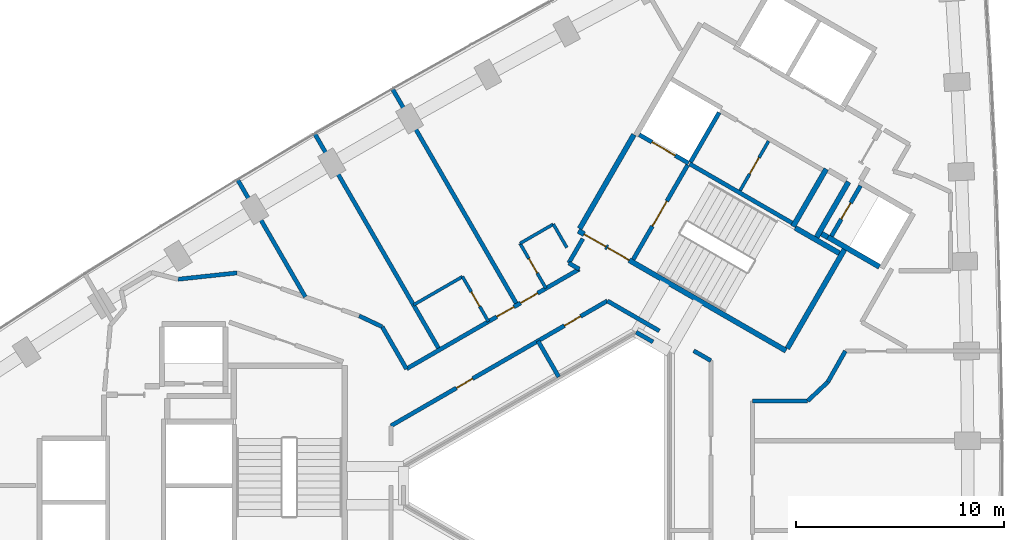
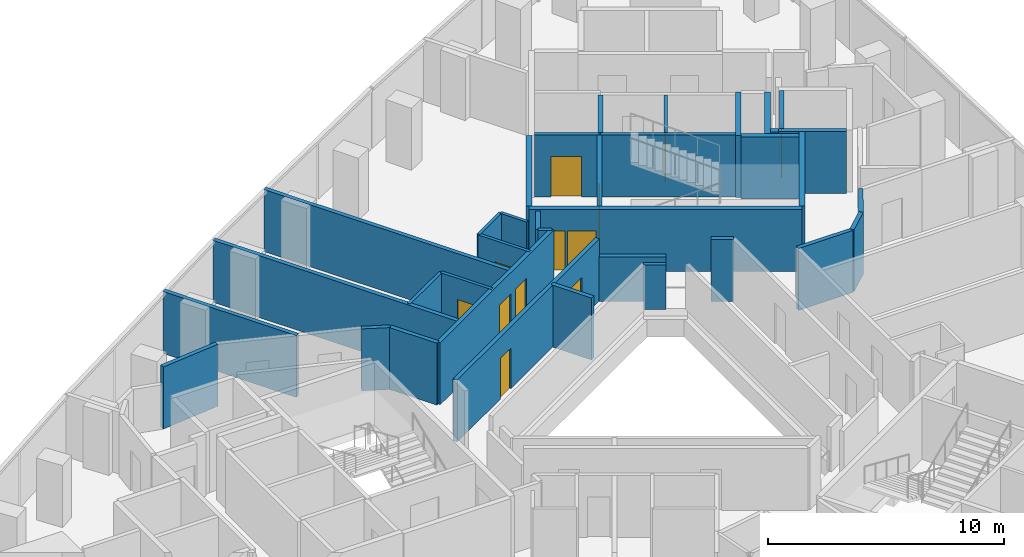
# One storey, part 11 of 13: 36 walls, 12 doors, 12 openings.
"""IFC4 building model written with IfcOpenShell, lengths in metres."""

from ifc_helpers import new_model, si_unit, direction, frame, frame_2d, origin, place, context, subcontext, project, spatial, rectangle, extrude, material, layer, layer_set, type_object, element, fill, save


model = new_model("IFC4")

# Units and contexts
model_context = context("Model", 3, precision=1e-05, world=origin(), true_north=direction((0.0, 1.0)))
body_context = subcontext(model_context, "Body", "Model", "MODEL_VIEW")
ifc_project = project(units=[si_unit("LENGTHUNIT", "METRE"), si_unit("AREAUNIT", "SQUARE_METRE"), si_unit("VOLUMEUNIT", "CUBIC_METRE"), si_unit("PLANEANGLEUNIT", "RADIAN"), si_unit("MASSUNIT", "GRAM", prefix="KILO")], contexts=[model_context])

# Site, building, storey
site_placement = place(None, origin())
site = spatial("IfcSite", under=ifc_project, at=site_placement, CompositionType="ELEMENT")
building_placement = place(site_placement, origin())
building = spatial("IfcBuilding", under=site, at=building_placement, Name="Tamra Quay Hotel Tower", CompositionType="ELEMENT")
storey_placement = place(building_placement, frame((0.0, 0.0, 132.39990234375)))
storey = spatial("IfcBuildingStorey", under=building, at=storey_placement, Name="L32", CompositionType="ELEMENT", Elevation=132.39990234375)

# Wall
ifc_material_1 = material(Name="Concrete M70", Category="concrete")
ifc_layer_1 = layer(ifc_material_1, 0.199951171875)
ifc_layer_set_1 = layer_set([ifc_layer_1], Name="Concrete M70 core wall 200")
wall_type_1 = type_object("IfcWallType", Name="Concrete M70 core wall 200", PredefinedType="SHEAR", material=ifc_layer_set_1)
wall_1_placement = place(storey_placement, frame((5.774658203125, 15.501953125, 0.0), z_axis=(0.0, 0.0, 1.0), x_axis=(0.866020080793, -0.500009219579, 0.0)))
element("IfcWall", 1, at=wall_1_placement, inside=storey, type_object=wall_type_1, Name="CW2", PredefinedType="SHEAR", context=body_context, shape_type="SweptSolid", body=[
    extrude(rectangle(XDim=5.69921875, YDim=0.199951171875, at=frame_2d((2.849609375, 0.0))), origin(), (0.0, 0.0, 1.0), 3.2001953125),
])

# Wall, opening, door
wall_2_placement = place(storey_placement, frame((3.056640625, 10.89453125, 0.0), z_axis=(0.0, 0.0, 1.0), x_axis=(0.499989418164, 0.866031513124, 0.0)))
wall_2 = element("IfcWall", 2, at=wall_2_placement, inside=storey, type_object=wall_type_1, Name="CW2", PredefinedType="SHEAR", context=body_context, shape_type="SweptSolid", body=[
    extrude(rectangle(XDim=5.2509765625, YDim=0.199951171875, at=frame_2d((2.62548828125, 0.0))), origin(), (0.0, 0.0, 1.0), 3.2001953125),
])
opening_1_placement = place(wall_2_placement, frame((1.84912109375, 0.0, 0.0)))
opening_1 = element("IfcOpeningElement", 3, at=opening_1_placement, cuts=wall_2, Name="Opening FD2", PredefinedType="OPENING", context=body_context, shape_type="SweptSolid", body=[
    extrude(rectangle(XDim=1.39990234375, YDim=2.10009765625, at=frame_2d((0.699951171875, 1.050048828125))), frame((0.0, 0.10986328125, 0.0), z_axis=(0.0, -1.0, 0.0), x_axis=(1.0, 0.0, 0.0)), (0.0, 0.0, 1.0), 0.219970703125),
])
ifc_material_2 = material(Name="Core door FD2 1400x2100 RH")
door_type_1 = type_object("IfcDoorType", Name="Core door FD2 1400x2100 RH", OperationType="NOTDEFINED", PredefinedType="DOOR", material=ifc_material_2)
door_1_placement = place(opening_1_placement, origin())
door_1 = element("IfcDoor", 4, at=door_1_placement, inside=storey, type_object=door_type_1, Name="FD2", OperationType="SINGLE_SWING_RIGHT", OverallHeight=2.10009765625, OverallWidth=1.39990234375, PredefinedType="DOOR", context=body_context, shape_type="SweptSolid", body=[
    extrude(rectangle(XDim=1.39990234375, YDim=2.10009765625, at=frame_2d((0.699951171875, 1.050048828125))), frame((0.0, 0.02490234375, 0.0), z_axis=(0.0, -1.0, 0.0), x_axis=(1.0, 0.0, 0.0)), (0.0, 0.0, 1.0), 0.050048828125),
])
fill(opening_1, door_1)

wall_3_placement = place(storey_placement, frame((14.0078125, 14.442138671875, 0.0), z_axis=(0.0, 0.0, 1.0), x_axis=(-0.499986818241, -0.866033014143, 0.0)))
wall_3 = element("IfcWall", 5, at=wall_3_placement, inside=storey, type_object=wall_type_1, Name="CW2", PredefinedType="SHEAR", context=body_context, shape_type="SweptSolid", body=[
    extrude(rectangle(XDim=2.7978515625, YDim=0.199951171875, at=frame_2d((1.39892578125, 0.0))), origin(), (0.0, 0.0, 1.0), 3.2001953125),
])
opening_2_placement = place(wall_3_placement, frame((0.948974609375, 0.0, 0.0)))
opening_2 = element("IfcOpeningElement", 6, at=opening_2_placement, cuts=wall_3, Name="Opening D1", PredefinedType="OPENING", context=body_context, shape_type="SweptSolid", body=[
    extrude(rectangle(XDim=0.89990234375, YDim=2.10009765625, at=frame_2d((0.449951171875, 1.050048828125))), frame((0.0, 0.10986328125, 0.0), z_axis=(0.0, -1.0, 0.0), x_axis=(1.0, 0.0, 0.0)), (0.0, 0.0, 1.0), 0.219970703125),
])
ifc_material_3 = material(Name="Core door D1 900x2100 RH")
door_type_2 = type_object("IfcDoorType", Name="Core door D1 900x2100 RH", OperationType="NOTDEFINED", PredefinedType="DOOR", material=ifc_material_3)
door_2_placement = place(opening_2_placement, origin())
door_2 = element("IfcDoor", 7, at=door_2_placement, inside=storey, type_object=door_type_2, Name="D1", OperationType="SINGLE_SWING_RIGHT", OverallHeight=2.10009765625, OverallWidth=0.89990234375, PredefinedType="DOOR", context=body_context, shape_type="SweptSolid", body=[
    extrude(rectangle(XDim=0.89990234375, YDim=2.10009765625, at=frame_2d((0.449951171875, 1.050048828125))), frame((0.0, 0.02490234375, 0.0), z_axis=(0.0, -1.0, 0.0), x_axis=(1.0, 0.0, 0.0)), (0.0, 0.0, 1.0), 0.050048828125),
])
fill(opening_2, door_2)

# Wall
wall_4_placement = place(storey_placement, frame((7.199462890625, 17.969970703125, 0.0), z_axis=(0.0, 0.0, 1.0), x_axis=(-0.499968400327, -0.866043647095, 0.0)))
element("IfcWall", 8, at=wall_4_placement, inside=storey, type_object=wall_type_1, Name="CW2", PredefinedType="SHEAR", context=body_context, shape_type="SweptSolid", body=[
    extrude(rectangle(XDim=2.749755859375, YDim=0.199951171875, at=frame_2d((1.375, 0.0))), origin(), (0.0, 0.0, 1.0), 3.2001953125),
])

# Wall, opening, door
wall_5_placement = place(storey_placement, frame((5.72509765625, 15.530517578125, 0.0), z_axis=(0.0, 0.0, 1.0), x_axis=(-0.866037306777, 0.499979382845, 0.0)))
wall_5 = element("IfcWall", 9, at=wall_5_placement, inside=storey, type_object=wall_type_1, Name="CW2", PredefinedType="SHEAR", context=body_context, shape_type="SweptSolid", body=[
    extrude(rectangle(XDim=2.74169921875, YDim=0.199951171875, at=frame_2d((1.370849609375, 0.0))), origin(), (0.0, 0.0, 1.0), 3.2001953125),
])
opening_3_placement = place(wall_5_placement, frame((0.742919921875, 0.0, 0.0)))
opening_3 = element("IfcOpeningElement", 10, at=opening_3_placement, cuts=wall_5, Name="Opening LD", PredefinedType="OPENING", context=body_context, shape_type="SweptSolid", body=[
    extrude(rectangle(XDim=1.300048828125, YDim=2.10009765625, at=frame_2d((0.64990234375, 1.050048828125))), frame((0.0, 0.10986328125, 0.0), z_axis=(0.0, -1.0, 0.0), x_axis=(1.0, 0.0, 0.0)), (0.0, 0.0, 1.0), 0.219970703125),
])
ifc_material_4 = material(Name="Landing door LD 1300 sliding to right")
door_type_3 = type_object("IfcDoorType", Name="Landing door LD 1300 sliding to right", OperationType="NOTDEFINED", PredefinedType="DOOR", material=ifc_material_4)
door_3_placement = place(opening_3_placement, origin())
door_3 = element("IfcDoor", 11, at=door_3_placement, inside=storey, type_object=door_type_3, Name="LD", OperationType="SLIDING_TO_RIGHT", OverallHeight=2.10009765625, OverallWidth=1.300048828125, PredefinedType="DOOR", context=body_context, shape_type="SweptSolid", body=[
    extrude(rectangle(XDim=1.300048828125, YDim=2.10009765625, at=frame_2d((0.64990234375, 1.050048828125))), frame((0.0, 0.02490234375, 0.0), z_axis=(0.0, -1.0, 0.0), x_axis=(1.0, 0.0, 0.0)), (0.0, 0.0, 1.0), 0.050048828125),
])
fill(opening_3, door_3)

# Wall, openings, doors
ifc_layer_2 = layer(ifc_material_1, 0.25)
ifc_layer_set_2 = layer_set([ifc_layer_2], Name="Concrete M70 core wall 250")
wall_type_2 = type_object("IfcWallType", Name="Concrete M70 core wall 250", PredefinedType="SHEAR", material=ifc_layer_set_2)
wall_6_placement = place(storey_placement, frame((10.419921875, 6.497802734375, 0.0), z_axis=(0.0, 0.0, 1.0), x_axis=(-0.866021906294, 0.500006057782, 0.0)))
wall_6 = element("IfcWall", 12, at=wall_6_placement, inside=storey, type_object=wall_type_2, Name="CW1", PredefinedType="SHEAR", context=body_context, shape_type="SweptSolid", body=[
    extrude(rectangle(XDim=11.550048828125, YDim=0.25, at=frame_2d((5.77490234375, 0.0))), origin(), (0.0, 0.0, 1.0), 3.2001953125),
])
opening_4_placement = place(wall_6_placement, frame((10.02490234375, 0.0, 0.0)))
opening_4 = element("IfcOpeningElement", 13, at=opening_4_placement, cuts=wall_6, Name="Opening FD1", PredefinedType="OPENING", context=body_context, shape_type="SweptSolid", body=[
    extrude(rectangle(XDim=1.199951171875, YDim=2.10009765625, at=frame_2d((0.60009765625, 1.050048828125))), frame((0.0, 0.135009765625, 0.0), z_axis=(0.0, -1.0, 0.0), x_axis=(1.0, 0.0, 0.0)), (0.0, 0.0, 1.0), 0.27001953125),
])
opening_5_placement = place(wall_6_placement, frame((8.724853515625, 0.0, 0.0)))
opening_5 = element("IfcOpeningElement", 14, at=opening_5_placement, cuts=wall_6, Name="Opening FD1", PredefinedType="OPENING", context=body_context, shape_type="SweptSolid", body=[
    extrude(rectangle(XDim=1.199951171875, YDim=2.10009765625, at=frame_2d((0.60009765625, 1.050048828125))), frame((0.0, 0.135009765625, 0.0), z_axis=(0.0, -1.0, 0.0), x_axis=(1.0, 0.0, 0.0)), (0.0, 0.0, 1.0), 0.27001953125),
])
ifc_material_5 = material(Name="Core door FD1 1200x2100 LH")
door_type_4 = type_object("IfcDoorType", Name="Core door FD1 1200x2100 LH", OperationType="NOTDEFINED", PredefinedType="DOOR", material=ifc_material_5)
door_4_placement = place(opening_4_placement, origin())
door_4 = element("IfcDoor", 15, at=door_4_placement, inside=storey, type_object=door_type_4, Name="FD1", OperationType="SINGLE_SWING_LEFT", OverallHeight=2.10009765625, OverallWidth=1.199951171875, PredefinedType="DOOR", context=body_context, shape_type="SweptSolid", body=[
    extrude(rectangle(XDim=1.199951171875, YDim=2.10009765625, at=frame_2d((0.60009765625, 1.050048828125))), frame((0.0, 0.02490234375, 0.0), z_axis=(0.0, -1.0, 0.0), x_axis=(1.0, 0.0, 0.0)), (0.0, 0.0, 1.0), 0.050048828125),
])
fill(opening_4, door_4)
ifc_material_6 = material(Name="Core door FD1 1200x2100 RH")
door_type_5 = type_object("IfcDoorType", Name="Core door FD1 1200x2100 RH", OperationType="NOTDEFINED", PredefinedType="DOOR", material=ifc_material_6)
door_5_placement = place(opening_5_placement, origin())
door_5 = element("IfcDoor", 16, at=door_5_placement, inside=storey, type_object=door_type_5, Name="FD1", OperationType="SINGLE_SWING_RIGHT", OverallHeight=2.10009765625, OverallWidth=1.199951171875, PredefinedType="DOOR", context=body_context, shape_type="SweptSolid", body=[
    extrude(rectangle(XDim=1.199951171875, YDim=2.10009765625, at=frame_2d((0.60009765625, 1.050048828125))), frame((0.0, 0.02490234375, 0.0), z_axis=(0.0, -1.0, 0.0), x_axis=(1.0, 0.0, 0.0)), (0.0, 0.0, 1.0), 0.050048828125),
])
fill(opening_5, door_5)

# Walls
wall_7_placement = place(storey_placement, frame((0.47998046875, 12.38134765625, 0.0), z_axis=(0.0, 0.0, 1.0), x_axis=(0.49999885962, 0.866026062182, 0.0)))
element("IfcWall", 17, at=wall_7_placement, inside=storey, type_object=wall_type_2, Name="CW1", PredefinedType="SHEAR", context=body_context, shape_type="SweptSolid", body=[
    extrude(rectangle(XDim=5.224609375, YDim=0.25, at=frame_2d((2.6123046875, 0.0))), origin(), (0.0, 0.0, 1.0), 3.2001953125),
])
wall_8_placement = place(storey_placement, frame((13.237548828125, 11.3779296875, 0.0), z_axis=(0.0, 0.0, 1.0), x_axis=(-0.500008851346, -0.866020293397, 0.0)))
element("IfcWall", 18, at=wall_8_placement, inside=storey, type_object=wall_type_2, Name="CW1", PredefinedType="SHEAR", context=body_context, shape_type="SweptSolid", body=[
    extrude(rectangle(XDim=5.509765625, YDim=0.25, at=frame_2d((2.7548828125, 0.0))), origin(), (0.0, 0.0, 1.0), 3.2001953125),
])
wall_9_placement = place(storey_placement, frame((12.356689453125, 15.25244140625, 0.0), z_axis=(0.0, 0.0, 1.0), x_axis=(-0.500028443584, -0.866008981251, 0.0)))
element("IfcWall", 19, at=wall_9_placement, inside=storey, type_object=wall_type_2, Name="CW1", PredefinedType="SHEAR", context=body_context, shape_type="SweptSolid", body=[
    extrude(rectangle(XDim=3.199951171875, YDim=0.25, at=frame_2d((1.60009765625, 0.0))), origin(), (0.0, 0.0, 1.0), 3.2001953125),
])
wall_10_placement = place(storey_placement, frame((14.91845703125, 10.540283203125, 0.0), z_axis=(0.0, 0.0, 1.0), x_axis=(-0.866063538972, 0.499933942099, 0.0)))
element("IfcWall", 20, at=wall_10_placement, inside=storey, type_object=wall_type_2, Name="CW1", PredefinedType="SHEAR", context=body_context, shape_type="SweptSolid", body=[
    extrude(rectangle(XDim=2.86474609375, YDim=0.25, at=frame_2d((1.432373046875, 0.0))), origin(), (0.0, 0.0, 1.0), 3.2001953125),
])
wall_11_placement = place(storey_placement, frame((11.887939453125, 11.960693359375, 0.0), z_axis=(0.0, 0.0, 1.0), x_axis=(0.500003324108, 0.866023484601, 0.0)))
element("IfcWall", 21, at=wall_11_placement, inside=storey, type_object=wall_type_2, Name="CW1", PredefinedType="SHEAR", context=body_context, shape_type="SweptSolid", body=[
    extrude(rectangle(XDim=3.0849609375, YDim=0.25, at=frame_2d((1.54248046875, 0.0))), origin(), (0.0, 0.0, 1.0), 3.2001953125),
])
wall_12_placement = place(storey_placement, frame((10.865234375, 12.41845703125, 0.0), z_axis=(0.0, 0.0, 1.0), x_axis=(0.866026229868, -0.499998569178, 0.0)))
element("IfcWall", 22, at=wall_12_placement, inside=storey, type_object=wall_type_2, Name="CW1", PredefinedType="SHEAR", context=body_context, shape_type="SweptSolid", body=[
    extrude(rectangle(XDim=2.44921875, YDim=0.25, at=frame_2d((1.224609375, 0.0))), origin(), (0.0, 0.0, 1.0), 3.2001953125),
])
wall_13_placement = place(storey_placement, frame((12.4326171875, 11.9638671875, 0.0), z_axis=(0.0, 0.0, 1.0), x_axis=(-0.866055875208, 0.499947218231, 0.0)))
element("IfcWall", 23, at=wall_13_placement, inside=storey, type_object=wall_type_2, Name="CW1", PredefinedType="SHEAR", context=body_context, shape_type="SweptSolid", body=[
    extrude(rectangle(XDim=0.3447265625, YDim=0.25, at=frame_2d((0.17236328125, 0.0))), origin(), (0.0, 0.0, 1.0), 3.2001953125),
])

# Wall, opening, door
ifc_material_7 = material(Name="Blockwork", Category="masonry")
ifc_layer_3 = layer(ifc_material_7, 0.14990234375)
ifc_layer_set_3 = layer_set([ifc_layer_3], Name="Core partition block 150")
wall_type_3 = type_object("IfcWallType", Name="Core partition block 150", PredefinedType="PARTITIONING", material=ifc_layer_set_3)
wall_14_placement = place(storey_placement, frame((8.20654296875, 14.214111328125, 0.0), z_axis=(0.0, 0.0, 1.0), x_axis=(0.499922376475, 0.866070215109, 0.0)))
wall_14 = element("IfcWall", 24, at=wall_14_placement, inside=storey, type_object=wall_type_3, Name="CP1", PredefinedType="PARTITIONING", context=body_context, shape_type="SweptSolid", body=[
    extrude(rectangle(XDim=2.74853515625, YDim=0.14990234375, at=frame_2d((1.374267578125, 0.0))), origin(), (0.0, 0.0, 1.0), 3.2001953125),
])
opening_6_placement = place(wall_14_placement, frame((0.92431640625, 0.0, 0.0)))
opening_6 = element("IfcOpeningElement", 25, at=opening_6_placement, cuts=wall_14, Name="Opening D2", PredefinedType="OPENING", context=body_context, shape_type="SweptSolid", body=[
    extrude(rectangle(XDim=0.89990234375, YDim=2.10009765625, at=frame_2d((0.449951171875, 1.050048828125))), frame((0.0, 0.0849609375, 0.0), z_axis=(0.0, -1.0, 0.0), x_axis=(1.0, 0.0, 0.0)), (0.0, 0.0, 1.0), 0.169921875),
])
ifc_material_8 = material(Name="Core door D2 900x2100 LH")
door_type_6 = type_object("IfcDoorType", Name="Core door D2 900x2100 LH", OperationType="NOTDEFINED", PredefinedType="DOOR", material=ifc_material_8)
door_6_placement = place(opening_6_placement, origin())
door_6 = element("IfcDoor", 26, at=door_6_placement, inside=storey, type_object=door_type_6, Name="D2", OperationType="SINGLE_SWING_LEFT", OverallHeight=2.10009765625, OverallWidth=0.89990234375, PredefinedType="DOOR", context=body_context, shape_type="SweptSolid", body=[
    extrude(rectangle(XDim=0.89990234375, YDim=2.10009765625, at=frame_2d((0.449951171875, 1.050048828125))), frame((0.0, 0.02490234375, 0.0), z_axis=(0.0, -1.0, 0.0), x_axis=(1.0, 0.0, 0.0)), (0.0, 0.0, 1.0), 0.050048828125),
])
fill(opening_6, door_6)

# Walls
ifc_material_9 = material(Name="Partition corridor wall")
ifc_layer_4 = layer(ifc_material_9, 0.199951171875)
ifc_layer_set_4 = layer_set([ifc_layer_4], Name="Partition corridor wall")
wall_type_4 = type_object("IfcWallType", Name="Partition corridor wall", PredefinedType="PARTITIONING", material=ifc_layer_set_4)
wall_15_placement = place(storey_placement, frame((-18.864990234375, 9.94091796875, 0.0), z_axis=(0.0, 0.0, 1.0), x_axis=(0.99423123086, 0.107257911519, 0.0)))
element("IfcWall", 27, at=wall_15_placement, inside=storey, type_object=wall_type_4, Name="W-C", PredefinedType="PARTITIONING", context=body_context, shape_type="SweptSolid", body=[
    extrude(rectangle(XDim=2.854248046875, YDim=0.199951171875, at=frame_2d((1.42724609375, 0.0))), origin(), (0.0, 0.0, 1.0), 3.2001953125),
])
wall_16_placement = place(storey_placement, frame((-10.14111328125, 8.176025390625, 0.0), z_axis=(0.0, 0.0, 1.0), x_axis=(0.903904169039, -0.427735026849, 0.0)))
element("IfcWall", 28, at=wall_16_placement, inside=storey, type_object=wall_type_4, Name="W-C", PredefinedType="PARTITIONING", context=body_context, shape_type="SweptSolid", body=[
    extrude(rectangle(XDim=1.224853515625, YDim=0.199951171875, at=frame_2d((0.6123046875, 0.0))), origin(), (0.0, 0.0, 1.0), 3.2001953125),
])
wall_17_placement = place(storey_placement, frame((-9.032958984375, 7.65087890625, 0.0), z_axis=(0.0, 0.0, 1.0), x_axis=(0.500354010599, -0.865820919173, 0.0)))
element("IfcWall", 29, at=wall_17_placement, inside=storey, type_object=wall_type_4, Name="W-C", PredefinedType="PARTITIONING", context=body_context, shape_type="SweptSolid", body=[
    extrude(rectangle(XDim=2.342041015625, YDim=0.199951171875, at=frame_2d((1.1708984375, 0.0))), origin(), (0.0, 0.0, 1.0), 3.2001953125),
])

# Wall, openings, doors
wall_18_placement = place(storey_placement, frame((-8.61279296875, 2.88134765625, 0.0), z_axis=(0.0, 0.0, 1.0), x_axis=(0.866103179807, 0.499865263774, 0.0)))
wall_18 = element("IfcWall", 30, at=wall_18_placement, inside=storey, type_object=wall_type_4, Name="W-C", PredefinedType="PARTITIONING", context=body_context, shape_type="SweptSolid", body=[
    extrude(rectangle(XDim=12.036376953125, YDim=0.199951171875, at=frame_2d((6.01806640625, 0.0))), origin(), (0.0, 0.0, 1.0), 3.2001953125),
])
opening_7_placement = place(wall_18_placement, frame((9.65185546875, 0.0, 0.0)))
opening_7 = element("IfcOpeningElement", 31, at=opening_7_placement, cuts=wall_18, Name="Opening L32-D026", PredefinedType="OPENING", context=body_context, shape_type="SweptSolid", body=[
    extrude(rectangle(XDim=0.89990234375, YDim=2.10009765625, at=frame_2d((0.449951171875, 1.050048828125))), frame((0.0, 0.10986328125, 0.0), z_axis=(0.0, -1.0, 0.0), x_axis=(1.0, 0.0, 0.0)), (0.0, 0.0, 1.0), 0.219970703125),
])
opening_8_placement = place(wall_18_placement, frame((3.6455078125, 0.0, 0.0)))
opening_8 = element("IfcOpeningElement", 32, at=opening_8_placement, cuts=wall_18, Name="Opening L32-D027", PredefinedType="OPENING", context=body_context, shape_type="SweptSolid", body=[
    extrude(rectangle(XDim=0.89990234375, YDim=2.10009765625, at=frame_2d((0.449951171875, 1.050048828125))), frame((0.0, 0.10986328125, 0.0), z_axis=(0.0, -1.0, 0.0), x_axis=(1.0, 0.0, 0.0)), (0.0, 0.0, 1.0), 0.219970703125),
])
ifc_material_10 = material(Name="Door service room 900x2100")
door_type_7 = type_object("IfcDoorType", Name="Door service room 900x2100", OperationType="NOTDEFINED", PredefinedType="DOOR", material=ifc_material_10)
door_7_placement = place(opening_7_placement, frame((0.89990234375, 0.0, 0.0), z_axis=(0.0, 0.0, 1.0), x_axis=(-1.0, 0.0, 0.0)))
door_7 = element("IfcDoor", 33, at=door_7_placement, inside=storey, type_object=door_type_7, Name="L32-D026", OperationType="SINGLE_SWING_LEFT", OverallHeight=2.10009765625, OverallWidth=0.89990234375, PredefinedType="DOOR", context=body_context, shape_type="SweptSolid", body=[
    extrude(rectangle(XDim=0.89990234375, YDim=2.10009765625, at=frame_2d((0.449951171875, 1.050048828125))), frame((0.0, 0.02490234375, 0.0), z_axis=(0.0, -1.0, 0.0), x_axis=(1.0, 0.0, 0.0)), (0.0, 0.0, 1.0), 0.050048828125),
])
fill(opening_7, door_7)
door_8_placement = place(opening_8_placement, frame((0.89990234375, 0.0, 0.0), z_axis=(0.0, 0.0, 1.0), x_axis=(-1.0, 0.0, 0.0)))
door_8 = element("IfcDoor", 34, at=door_8_placement, inside=storey, type_object=door_type_7, Name="L32-D027", OperationType="SINGLE_SWING_LEFT", OverallHeight=2.10009765625, OverallWidth=0.89990234375, PredefinedType="DOOR", context=body_context, shape_type="SweptSolid", body=[
    extrude(rectangle(XDim=0.89990234375, YDim=2.10009765625, at=frame_2d((0.449951171875, 1.050048828125))), frame((0.0, 0.02490234375, 0.0), z_axis=(0.0, -1.0, 0.0), x_axis=(1.0, 0.0, 0.0)), (0.0, 0.0, 1.0), 0.050048828125),
])
fill(opening_8, door_8)

wall_19_placement = place(storey_placement, frame((-7.861572265625, 5.624267578125, 0.0), z_axis=(0.0, 0.0, 1.0), x_axis=(0.866109024618, 0.499855136491, 0.0)))
wall_19 = element("IfcWall", 35, at=wall_19_placement, inside=storey, type_object=wall_type_4, Name="W-C", PredefinedType="PARTITIONING", context=body_context, shape_type="SweptSolid", body=[
    extrude(rectangle(XDim=9.610107421875, YDim=0.199951171875, at=frame_2d((4.80517578125, 0.0))), origin(), (0.0, 0.0, 1.0), 3.2001953125),
])
opening_9_placement = place(wall_19_placement, frame((6.345458984375, 0.0, 0.0)))
opening_9 = element("IfcOpeningElement", 36, at=opening_9_placement, cuts=wall_19, Name="Opening L32-D006", PredefinedType="OPENING", context=body_context, shape_type="SweptSolid", body=[
    extrude(rectangle(XDim=0.949951171875, YDim=2.10009765625, at=frame_2d((0.47509765625, 1.050048828125))), frame((0.0, 0.10986328125, 0.0), z_axis=(0.0, -1.0, 0.0), x_axis=(1.0, 0.0, 0.0)), (0.0, 0.0, 1.0), 0.219970703125),
])
opening_10_placement = place(wall_19_placement, frame((5.019775390625, 0.0, 0.0)))
opening_10 = element("IfcOpeningElement", 37, at=opening_10_placement, cuts=wall_19, Name="Opening L32-D008", PredefinedType="OPENING", context=body_context, shape_type="SweptSolid", body=[
    extrude(rectangle(XDim=0.949951171875, YDim=2.10009765625, at=frame_2d((0.47509765625, 1.050048828125))), frame((0.0, 0.10986328125, 0.0), z_axis=(0.0, -1.0, 0.0), x_axis=(1.0, 0.0, 0.0)), (0.0, 0.0, 1.0), 0.219970703125),
])
ifc_material_11 = material(Name="Door guest room 950x2100")
door_type_8 = type_object("IfcDoorType", Name="Door guest room 950x2100", OperationType="NOTDEFINED", PredefinedType="DOOR", material=ifc_material_11)
door_9_placement = place(opening_9_placement, origin())
door_9 = element("IfcDoor", 38, at=door_9_placement, inside=storey, type_object=door_type_8, Name="L32-D006", OperationType="SINGLE_SWING_LEFT", OverallHeight=2.10009765625, OverallWidth=0.949951171875, PredefinedType="DOOR", context=body_context, shape_type="SweptSolid", body=[
    extrude(rectangle(XDim=0.949951171875, YDim=2.10009765625, at=frame_2d((0.47509765625, 1.050048828125))), frame((0.0, 0.02490234375, 0.0), z_axis=(0.0, -1.0, 0.0), x_axis=(1.0, 0.0, 0.0)), (0.0, 0.0, 1.0), 0.050048828125),
])
fill(opening_9, door_9)
door_10_placement = place(opening_10_placement, origin())
door_10 = element("IfcDoor", 39, at=door_10_placement, inside=storey, type_object=door_type_8, Name="L32-D008", OperationType="SINGLE_SWING_LEFT", OverallHeight=2.10009765625, OverallWidth=0.949951171875, PredefinedType="DOOR", context=body_context, shape_type="SweptSolid", body=[
    extrude(rectangle(XDim=0.949951171875, YDim=2.10009765625, at=frame_2d((0.47509765625, 1.050048828125))), frame((0.0, 0.02490234375, 0.0), z_axis=(0.0, -1.0, 0.0), x_axis=(1.0, 0.0, 0.0)), (0.0, 0.0, 1.0), 0.050048828125),
])
fill(opening_10, door_10)

# Walls
wall_20_placement = place(storey_placement, frame((-0.044921875, 10.720947265625, 0.0), z_axis=(0.0, 0.0, 1.0), x_axis=(0.865768710998, -0.500444341617, 0.0)))
element("IfcWall", 40, at=wall_20_placement, inside=storey, type_object=wall_type_4, Name="W-C", PredefinedType="PARTITIONING", context=body_context, shape_type="SweptSolid", body=[
    extrude(rectangle(XDim=0.58544921875, YDim=0.199951171875, at=frame_2d((0.292724609375, 0.0))), origin(), (0.0, 0.0, 1.0), 3.2001953125),
])
wall_21_placement = place(storey_placement, frame((-0.04443359375, 10.7216796875, 0.0), z_axis=(0.0, 0.0, 1.0), x_axis=(0.500034408226, 0.866005537274, 0.0)))
element("IfcWall", 41, at=wall_21_placement, inside=storey, type_object=wall_type_4, Name="W-C", PredefinedType="PARTITIONING", context=body_context, shape_type="SweptSolid", body=[
    extrude(rectangle(XDim=1.35498046875, YDim=0.199951171875, at=frame_2d((0.677490234375, 0.0))), origin(), (0.0, 0.0, 1.0), 3.2001953125),
])
wall_22_placement = place(storey_placement, frame((1.812744140625, 8.899169921875, 0.0), z_axis=(0.0, 0.0, 1.0), x_axis=(0.865957732194, -0.50011719232, 0.0)))
element("IfcWall", 42, at=wall_22_placement, inside=storey, type_object=wall_type_4, Name="W-C", PredefinedType="PARTITIONING", context=body_context, shape_type="SweptSolid", body=[
    extrude(rectangle(XDim=2.890869140625, YDim=0.199951171875, at=frame_2d((1.4453125, 0.0))), origin(), (0.0, 0.0, 1.0), 2.300048828125),
])
wall_23_placement = place(storey_placement, frame((5.97412109375, 6.49609375, 0.0), z_axis=(0.0, 0.0, 1.0), x_axis=(0.865934055563, -0.500158186394, 0.0)))
element("IfcWall", 43, at=wall_23_placement, inside=storey, type_object=wall_type_4, Name="W-C", PredefinedType="PARTITIONING", context=body_context, shape_type="SweptSolid", body=[
    extrude(rectangle(XDim=0.953857421875, YDim=0.199951171875, at=frame_2d((0.47705078125, 0.0))), origin(), (0.0, 0.0, 1.0), 3.2001953125),
])
wall_24_placement = place(storey_placement, frame((8.800048828125, 4.077880859375, 0.0), z_axis=(0.0, 0.0, 1.0), x_axis=(1.0, 0.0, 0.0)))
element("IfcWall", 44, at=wall_24_placement, inside=storey, type_object=wall_type_4, Name="W-C", PredefinedType="PARTITIONING", context=body_context, shape_type="SweptSolid", body=[
    extrude(rectangle(XDim=2.657958984375, YDim=0.199951171875, at=frame_2d((1.3291015625, 0.0))), origin(), (0.0, 0.0, 1.0), 3.2001953125),
])
wall_25_placement = place(storey_placement, frame((11.4580078125, 4.077880859375, 0.0), z_axis=(0.0, 0.0, 1.0), x_axis=(0.729936032318, 0.683515463412, 0.0)))
element("IfcWall", 45, at=wall_25_placement, inside=storey, type_object=wall_type_4, Name="W-C", PredefinedType="PARTITIONING", context=body_context, shape_type="SweptSolid", body=[
    extrude(rectangle(XDim=1.3359375, YDim=0.199951171875, at=frame_2d((0.66796875, 0.0))), origin(), (0.0, 0.0, 1.0), 3.2001953125),
])
wall_26_placement = place(storey_placement, frame((12.43310546875, 4.991943359375, 0.0), z_axis=(0.0, 0.0, 1.0), x_axis=(0.492807777065, 0.870138204462, 0.0)))
element("IfcWall", 46, at=wall_26_placement, inside=storey, type_object=wall_type_4, Name="W-C", PredefinedType="PARTITIONING", context=body_context, shape_type="SweptSolid", body=[
    extrude(rectangle(XDim=1.714599609375, YDim=0.199951171875, at=frame_2d((0.857421875, 0.0))), origin(), (0.0, 0.0, 1.0), 3.2001953125),
])
ifc_material_12 = material(Name="Partition en-suite wall")
ifc_layer_5 = layer(ifc_material_12, 0.14990234375)
ifc_layer_set_5 = layer_set([ifc_layer_5], Name="Partition en-suite wall")
wall_type_5 = type_object("IfcWallType", Name="Partition en-suite wall", PredefinedType="PARTITIONING", material=ifc_layer_set_5)
wall_27_placement = place(storey_placement, frame((-7.521728515625, 8.704345703125, 0.0), z_axis=(0.0, 0.0, 1.0), x_axis=(0.865972067821, 0.500092369221, 0.0)))
element("IfcWall", 47, at=wall_27_placement, inside=storey, type_object=wall_type_5, Name="W-E", PredefinedType="PARTITIONING", context=body_context, shape_type="SweptSolid", body=[
    extrude(rectangle(XDim=2.72314453125, YDim=0.14990234375, at=frame_2d((1.361572265625, 0.0))), origin(), (0.0, 0.0, 1.0), 3.2001953125),
])

# Wall, opening, door
wall_28_placement = place(storey_placement, frame((-5.1640625, 10.06689453125, 0.0), z_axis=(0.0, 0.0, 1.0), x_axis=(0.500046524342, -0.865998541277, 0.0)))
wall_28 = element("IfcWall", 48, at=wall_28_placement, inside=storey, type_object=wall_type_5, Name="W-E", PredefinedType="PARTITIONING", context=body_context, shape_type="SweptSolid", body=[
    extrude(rectangle(XDim=2.499755859375, YDim=0.14990234375, at=frame_2d((1.25, 0.0))), origin(), (0.0, 0.0, 1.0), 3.2001953125),
])
opening_11_placement = place(wall_28_placement, frame((0.850341796875, 0.0, 0.0)))
opening_11 = element("IfcOpeningElement", 49, at=opening_11_placement, cuts=wall_28, Name="Opening L32-D009", PredefinedType="OPENING", context=body_context, shape_type="SweptSolid", body=[
    extrude(rectangle(XDim=0.800048828125, YDim=2.10009765625, at=frame_2d((0.39990234375, 1.050048828125))), frame((0.0, 0.0849609375, 0.0), z_axis=(0.0, -1.0, 0.0), x_axis=(1.0, 0.0, 0.0)), (0.0, 0.0, 1.0), 0.169921875),
])
ifc_material_13 = material(Name="Door en-suite 800x2100")
door_type_9 = type_object("IfcDoorType", Name="Door en-suite 800x2100", OperationType="NOTDEFINED", PredefinedType="DOOR", material=ifc_material_13)
door_11_placement = place(opening_11_placement, frame((0.800048828125, 0.0, 0.0), z_axis=(0.0, 0.0, 1.0), x_axis=(-1.0, 0.0, 0.0)))
door_11 = element("IfcDoor", 50, at=door_11_placement, inside=storey, type_object=door_type_9, Name="L32-D009", OperationType="SINGLE_SWING_LEFT", OverallHeight=2.10009765625, OverallWidth=0.800048828125, PredefinedType="DOOR", context=body_context, shape_type="SweptSolid", body=[
    extrude(rectangle(XDim=0.800048828125, YDim=2.10009765625, at=frame_2d((0.39990234375, 1.050048828125))), frame((0.0, 0.02490234375, 0.0), z_axis=(0.0, -1.0, 0.0), x_axis=(1.0, 0.0, 0.0)), (0.0, 0.0, 1.0), 0.050048828125),
])
fill(opening_11, door_11)

wall_29_placement = place(storey_placement, frame((-2.39111328125, 11.6650390625, 0.0), z_axis=(0.0, 0.0, 1.0), x_axis=(0.500049599607, -0.865996765544, 0.0)))
wall_29 = element("IfcWall", 51, at=wall_29_placement, inside=storey, type_object=wall_type_5, Name="W-E", PredefinedType="PARTITIONING", context=body_context, shape_type="SweptSolid", body=[
    extrude(rectangle(XDim=2.497802734375, YDim=0.14990234375, at=frame_2d((1.2490234375, 0.0))), origin(), (0.0, 0.0, 1.0), 3.2001953125),
])
opening_12_placement = place(wall_29_placement, frame((0.84765625, 0.0, 0.0)))
opening_12 = element("IfcOpeningElement", 52, at=opening_12_placement, cuts=wall_29, Name="Opening L32-D007", PredefinedType="OPENING", context=body_context, shape_type="SweptSolid", body=[
    extrude(rectangle(XDim=0.800048828125, YDim=2.10009765625, at=frame_2d((0.39990234375, 1.050048828125))), frame((0.0, 0.0849609375, 0.0), z_axis=(0.0, -1.0, 0.0), x_axis=(1.0, 0.0, 0.0)), (0.0, 0.0, 1.0), 0.169921875),
])
door_12_placement = place(opening_12_placement, origin())
door_12 = element("IfcDoor", 53, at=door_12_placement, inside=storey, type_object=door_type_9, Name="L32-D007", OperationType="SINGLE_SWING_LEFT", OverallHeight=2.10009765625, OverallWidth=0.800048828125, PredefinedType="DOOR", context=body_context, shape_type="SweptSolid", body=[
    extrude(rectangle(XDim=0.800048828125, YDim=2.10009765625, at=frame_2d((0.39990234375, 1.050048828125))), frame((0.0, 0.02490234375, 0.0), z_axis=(0.0, -1.0, 0.0), x_axis=(1.0, 0.0, 0.0)), (0.0, 0.0, 1.0), 0.050048828125),
])
fill(opening_12, door_12)

# Walls
wall_30_placement = place(storey_placement, frame((-2.389892578125, 11.66796875, 0.0), z_axis=(0.0, 0.0, 1.0), x_axis=(0.865932482239, 0.500160910312, 0.0)))
element("IfcWall", 54, at=wall_30_placement, inside=storey, type_object=wall_type_5, Name="W-E", PredefinedType="PARTITIONING", context=body_context, shape_type="SweptSolid", body=[
    extrude(rectangle(XDim=1.84765625, YDim=0.14990234375, at=frame_2d((0.923828125, 0.0))), origin(), (0.0, 0.0, 1.0), 3.2001953125),
])
wall_31_placement = place(storey_placement, frame((-0.787109375, 12.591064453125, 0.0), z_axis=(0.0, 0.0, 1.0), x_axis=(0.499749509877, -0.866169976031, 0.0)))
element("IfcWall", 55, at=wall_31_placement, inside=storey, type_object=wall_type_5, Name="W-E", PredefinedType="PARTITIONING", context=body_context, shape_type="SweptSolid", body=[
    extrude(rectangle(XDim=1.302001953125, YDim=0.14990234375, at=frame_2d((0.65087890625, 0.0))), origin(), (0.0, 0.0, 1.0), 3.2001953125),
])
ifc_material_14 = material(Name="Partition party wall")
ifc_layer_6 = layer(ifc_material_14, 0.199951171875)
ifc_layer_set_6 = layer_set([ifc_layer_6], Name="Partition party wall")
wall_type_6 = type_object("IfcWallType", Name="Partition party wall", PredefinedType="PARTITIONING", material=ifc_layer_set_6)
wall_32_placement = place(storey_placement, frame((-15.996337890625, 14.73974609375, 0.0), z_axis=(0.0, 0.0, 1.0), x_axis=(0.499925398456, -0.866068470722, 0.0)))
element("IfcWall", 56, at=wall_32_placement, inside=storey, type_object=wall_type_6, Name="W-P", PredefinedType="PARTITIONING", context=body_context, shape_type="SweptSolid", body=[
    extrude(rectangle(XDim=6.52587890625, YDim=0.199951171875, at=frame_2d((3.262939453125, 0.0))), origin(), (0.0, 0.0, 1.0), 3.2001953125),
])
wall_33_placement = place(storey_placement, frame((-12.278564453125, 16.94580078125, 0.0), z_axis=(0.0, 0.0, 1.0), x_axis=(0.499902454835, -0.866081714187, 0.0)))
element("IfcWall", 57, at=wall_33_placement, inside=storey, type_object=wall_type_6, Name="W-P", PredefinedType="PARTITIONING", context=body_context, shape_type="SweptSolid", body=[
    extrude(rectangle(XDim=12.01513671875, YDim=0.199951171875, at=frame_2d((6.007568359375, 0.0))), origin(), (0.0, 0.0, 1.0), 3.2001953125),
])
wall_34_placement = place(storey_placement, frame((-8.535400390625, 19.10693359375, 0.0), z_axis=(0.0, 0.0, 1.0), x_axis=(0.499972843048, -0.86604108229, 0.0)))
element("IfcWall", 58, at=wall_34_placement, inside=storey, type_object=wall_type_6, Name="W-P", PredefinedType="PARTITIONING", context=body_context, shape_type="SweptSolid", body=[
    extrude(rectangle(XDim=12.013427734375, YDim=0.199951171875, at=frame_2d((6.0068359375, 0.0))), origin(), (0.0, 0.0, 1.0), 3.2001953125),
])
wall_35_placement = place(storey_placement, frame((-1.52783203125, 6.968994140625, 0.0), z_axis=(0.0, 0.0, 1.0), x_axis=(0.500000846469, -0.866024915075, 0.0)))
element("IfcWall", 59, at=wall_35_placement, inside=storey, type_object=wall_type_6, Name="W-P", PredefinedType="PARTITIONING", context=body_context, shape_type="SweptSolid", body=[
    extrude(rectangle(XDim=1.9990234375, YDim=0.199951171875, at=frame_2d((0.99951171875, 0.0))), origin(), (0.0, 0.0, 1.0), 3.2001953125),
])
wall_36_placement = place(storey_placement, frame((3.199951171875, 7.389892578125, 0.0), z_axis=(0.0, 0.0, 1.0), x_axis=(0.865985641702, -0.500068863623, 0.0)))
element("IfcWall", 60, at=wall_36_placement, inside=storey, type_object=wall_type_6, Name="W-P", PredefinedType="PARTITIONING", context=body_context, shape_type="SweptSolid", body=[
    extrude(rectangle(XDim=0.935302734375, YDim=0.199951171875, at=frame_2d((0.4677734375, 0.0))), origin(), (0.0, 0.0, 1.0), 2.300048828125),
])

save(model, "model.ifc")
